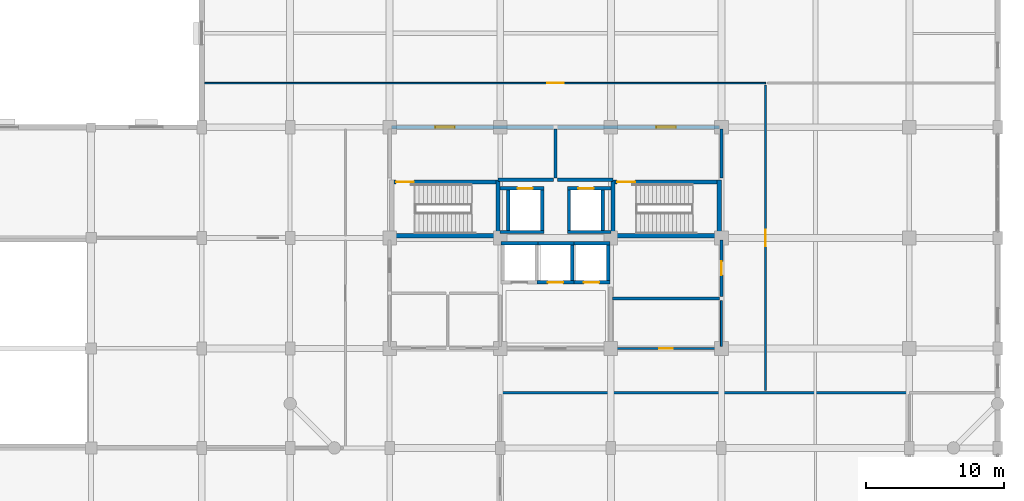
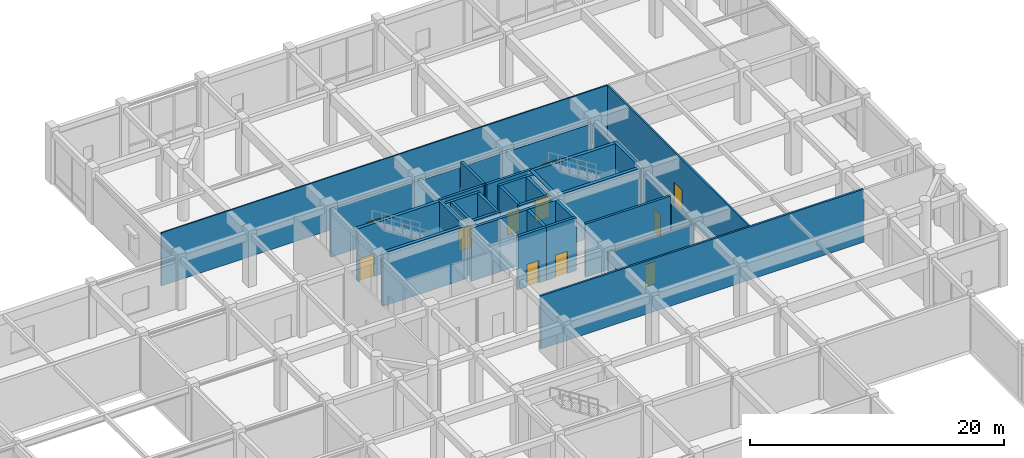
# One storey, part 29 of 36: 35 walls, 12 doors, 12 openings.
"""IFC4 building model written with IfcOpenShell, lengths in metres."""

from ifc_helpers import new_model, si_unit, direction, frame, frame_2d, origin, place, context, subcontext, project, spatial, rectangle, extrude, material, layer, layer_set, type_object, element, fill, save


model = new_model("IFC4")

# Units and contexts
model_context = context("Model", 3, precision=1e-05, world=origin(), true_north=direction((0.0, 1.0)))
body_context = subcontext(model_context, "Body", "Model", "MODEL_VIEW")
ifc_project = project(units=[si_unit("LENGTHUNIT", "METRE"), si_unit("AREAUNIT", "SQUARE_METRE"), si_unit("VOLUMEUNIT", "CUBIC_METRE"), si_unit("PLANEANGLEUNIT", "RADIAN"), si_unit("MASSUNIT", "GRAM", prefix="KILO")], contexts=[model_context])

# Site, building, storey
site_placement = place(None, origin())
site = spatial("IfcSite", under=ifc_project, at=site_placement, CompositionType="ELEMENT")
building_placement = place(site_placement, origin())
building = spatial("IfcBuilding", under=site, at=building_placement, Name="Vellmiral Cinema and Media Centre", CompositionType="ELEMENT")
storey_placement = place(building_placement, frame((0.0, 0.0, 5.39990234375)))
storey = spatial("IfcBuildingStorey", under=building, at=storey_placement, Name="L01", CompositionType="ELEMENT", Elevation=5.39990234375)

# Wall
ifc_material_1 = material(Name="Concrete C40/50", Category="concrete")
ifc_layer_1 = layer(ifc_material_1, 0.2099609375, Name="Concrete C40/50")
ifc_layer_set_1 = layer_set([ifc_layer_1], Name="Concrete C40/50")
wall_type_1 = type_object("IfcWallType", Name="WL-COMP-210", PredefinedType="SOLIDWALL", material=ifc_layer_set_1)
wall_1_placement = place(storey_placement, frame((140.139892578125, 82.800048828125, 0.0), z_axis=(0.0, 0.0, 1.0), x_axis=(1.0, 0.0, 0.0)))
element("IfcWall", 1, at=wall_1_placement, inside=storey, type_object=wall_type_1, Name="Data Patch and Riser Room Wall S", PredefinedType="SOLIDWALL", context=body_context, shape_type="SweptSolid", body=[
    extrude(rectangle(XDim=7.72021484375, YDim=0.2099609375, at=frame_2d((3.860107421875, 0.0))), origin(), (0.0, 0.0, 1.0), 5.10009765625),
])

# Wall, opening, door
wall_2_placement = place(storey_placement, frame((148.0, 82.93994140625, 0.0), z_axis=(0.0, 0.0, 1.0), x_axis=(0.0, 1.0, 0.0)))
wall_2 = element("IfcWall", 2, at=wall_2_placement, inside=storey, type_object=wall_type_1, Name="Data Patch and Riser Room Wall E", PredefinedType="SOLIDWALL", context=body_context, shape_type="SweptSolid", body=[
    extrude(rectangle(XDim=4.1201171875, YDim=0.2099609375, at=frame_2d((2.06005859375, 0.0))), origin(), (0.0, 0.0, 1.0), 4.43505859375),
])
opening_1_placement = place(wall_2_placement, frame((1.56005859375, 0.0, 0.0)))
opening_1 = element("IfcOpeningElement", 3, at=opening_1_placement, cuts=wall_2, Name="Opening D-FD30B", PredefinedType="OPENING", context=body_context, shape_type="SweptSolid", body=[
    extrude(rectangle(XDim=1.0, YDim=2.14990234375, at=frame_2d((0.5, 1.074951171875))), frame((0.0, 0.116943359375, 0.0), z_axis=(0.0, -1.0, 0.0), x_axis=(1.0, 0.0, 0.0)), (0.0, 0.0, 1.0), 0.23388671875),
])
ifc_material_2 = material(Name="Steel Riser Fire Door", Category="steel")
door_type_1 = type_object("IfcDoorType", Name="DR-FD30-1000x2150", OperationType="NOTDEFINED", PredefinedType="DOOR", material=ifc_material_2)
door_1_placement = place(opening_1_placement, origin())
door_1 = element("IfcDoor", 4, at=door_1_placement, inside=storey, type_object=door_type_1, Name="Data Patch and Riser Room Door", OperationType="SINGLE_SWING_LEFT", OverallHeight=2.14990234375, OverallWidth=1.0, PredefinedType="DOOR", context=body_context, shape_type="SweptSolid", body=[
    extrude(rectangle(XDim=1.0, YDim=2.14990234375, at=frame_2d((0.5, 1.074951171875))), frame((0.0, 0.02490234375, 0.0), z_axis=(0.0, -1.0, 0.0), x_axis=(1.0, 0.0, 0.0)), (0.0, 0.0, 1.0), 0.050048828125),
])
fill(opening_1, door_1)

# Walls
ifc_material_3 = material(Name="Concrete C40/50", Category="concrete")
ifc_layer_2 = layer(ifc_material_3, 0.300048828125, Name="Concrete C40/50")
ifc_layer_set_2 = layer_set([ifc_layer_2], Name="Concrete C40/50")
wall_type_2 = type_object("IfcWallType", Name="WL-CORE-300", PredefinedType="SHEAR", material=ifc_layer_set_2)
wall_3_placement = place(storey_placement, frame((131.85009765625, 87.199951171875, 0.0), z_axis=(0.0, 0.0, 1.0), x_axis=(0.0, 1.0, 0.0)))
element("IfcWall", 5, at=wall_3_placement, inside=storey, type_object=wall_type_2, Name="Stair Core Wall ST-T1 L01-E", PredefinedType="SHEAR", context=body_context, shape_type="SweptSolid", body=[
    extrude(rectangle(XDim=4.199951171875, YDim=0.300048828125, at=frame_2d((2.10009765625, 0.0))), origin(), (0.0, 0.0, 1.0), 5.10009765625),
])
wall_4_placement = place(storey_placement, frame((124.300048828125, 87.35009765625, 0.0), z_axis=(0.0, 0.0, 1.0), x_axis=(1.0, 0.0, 0.0)))
element("IfcWall", 6, at=wall_4_placement, inside=storey, type_object=wall_type_2, Name="Stair Core Wall ST-T1 L01-S", PredefinedType="SHEAR", context=body_context, shape_type="SweptSolid", body=[
    extrude(rectangle(XDim=7.39990234375, YDim=0.300048828125, at=frame_2d((3.699951171875, 0.0))), origin(), (0.0, 0.0, 1.0), 5.10009765625),
])

# Wall, opening, door
wall_5_placement = place(storey_placement, frame((124.300048828125, 91.25, 0.0), z_axis=(0.0, 0.0, 1.0), x_axis=(1.0, 0.0, 0.0)))
wall_5 = element("IfcWall", 7, at=wall_5_placement, inside=storey, type_object=wall_type_2, Name="Stair Core Wall ST-T1 L01-N", PredefinedType="SHEAR", context=body_context, shape_type="SweptSolid", body=[
    extrude(rectangle(XDim=7.39990234375, YDim=0.300048828125, at=frame_2d((3.699951171875, 0.0))), origin(), (0.0, 0.0, 1.0), 5.10009765625),
])
opening_2_placement = place(wall_5_placement, frame((0.159912109375, 0.0, 0.0)))
opening_2 = element("IfcOpeningElement", 8, at=opening_2_placement, cuts=wall_5, Name="Opening D-FD30A", PredefinedType="OPENING", context=body_context, shape_type="SweptSolid", body=[
    extrude(rectangle(XDim=1.300048828125, YDim=2.179931640625, at=frame_2d((0.64990234375, 1.08984375))), frame((0.0, 0.162109375, 0.0), z_axis=(0.0, -1.0, 0.0), x_axis=(1.0, 0.0, 0.0)), (0.0, 0.0, 1.0), 0.323974609375),
])
ifc_material_4 = material(Name="Steel Stair Fire Door", Category="steel")
door_type_2 = type_object("IfcDoorType", Name="DR-FD30-1300x2180", OperationType="NOTDEFINED", PredefinedType="DOOR", material=ifc_material_4)
door_2_placement = place(opening_2_placement, frame((1.300048828125, 0.0, 0.0), z_axis=(0.0, 0.0, 1.0), x_axis=(-1.0, 0.0, 0.0)))
door_2 = element("IfcDoor", 9, at=door_2_placement, inside=storey, type_object=door_type_2, Name="Protected Stair Door ST-T1 L01", OperationType="SINGLE_SWING_RIGHT", OverallHeight=2.179931640625, OverallWidth=1.300048828125, PredefinedType="DOOR", context=body_context, shape_type="SweptSolid", body=[
    extrude(rectangle(XDim=1.300048828125, YDim=2.179931640625, at=frame_2d((0.64990234375, 1.08984375))), frame((0.0, 0.02490234375, 0.0), z_axis=(0.0, -1.0, 0.0), x_axis=(1.0, 0.0, 0.0)), (0.0, 0.0, 1.0), 0.050048828125),
])
fill(opening_2, door_2)

# Walls
for number, where, z_axis, x_axis, name in (
    (10, (140.14990234375, 87.199951171875, 0.0), (0.0, 0.0, 1.0), (0.0, 1.0, 0.0), "Stair Core Wall ST-T2 L01-W"),
    (11, (147.85009765625, 87.199951171875, 0.0), (0.0, 0.0, 1.0), (0.0, 1.0, 0.0), "Stair Core Wall ST-T2 L01-E"),
):
    element("IfcWall", number, at=place(storey_placement, frame(where, z_axis=z_axis, x_axis=x_axis)), inside=storey, type_object=wall_type_2, Name=name, PredefinedType="SHEAR", context=body_context, shape_type="SweptSolid", body=[
        extrude(rectangle(XDim=4.199951171875, YDim=0.300048828125, at=frame_2d((2.10009765625, 0.0))), origin(), (0.0, 0.0, 1.0), 5.10009765625),
    ])
wall_6_placement = place(storey_placement, frame((140.300048828125, 87.35009765625, 0.0), z_axis=(0.0, 0.0, 1.0), x_axis=(1.0, 0.0, 0.0)))
element("IfcWall", 12, at=wall_6_placement, inside=storey, type_object=wall_type_2, Name="Stair Core Wall ST-T2 L01-S", PredefinedType="SHEAR", context=body_context, shape_type="SweptSolid", body=[
    extrude(rectangle(XDim=7.39990234375, YDim=0.300048828125, at=frame_2d((3.699951171875, 0.0))), origin(), (0.0, 0.0, 1.0), 5.10009765625),
])

# Wall, opening, door
wall_7_placement = place(storey_placement, frame((140.300048828125, 91.25, 0.0), z_axis=(0.0, 0.0, 1.0), x_axis=(1.0, 0.0, 0.0)))
wall_7 = element("IfcWall", 13, at=wall_7_placement, inside=storey, type_object=wall_type_2, Name="Stair Core Wall ST-T2 L01-N", PredefinedType="SHEAR", context=body_context, shape_type="SweptSolid", body=[
    extrude(rectangle(XDim=7.39990234375, YDim=0.300048828125, at=frame_2d((3.699951171875, 0.0))), origin(), (0.0, 0.0, 1.0), 5.10009765625),
])
opening_3_placement = place(wall_7_placement, frame((0.159912109375, 0.0, 0.0)))
opening_3 = element("IfcOpeningElement", 14, at=opening_3_placement, cuts=wall_7, Name="Opening D-FD30A", PredefinedType="OPENING", context=body_context, shape_type="SweptSolid", body=[
    extrude(rectangle(XDim=1.300048828125, YDim=2.179931640625, at=frame_2d((0.64990234375, 1.08984375))), frame((0.0, 0.162109375, 0.0), z_axis=(0.0, -1.0, 0.0), x_axis=(1.0, 0.0, 0.0)), (0.0, 0.0, 1.0), 0.323974609375),
])
door_3_placement = place(opening_3_placement, frame((1.300048828125, 0.0, 0.0), z_axis=(0.0, 0.0, 1.0), x_axis=(-1.0, 0.0, 0.0)))
door_3 = element("IfcDoor", 15, at=door_3_placement, inside=storey, type_object=door_type_2, Name="Protected Stair Door ST-T2 L01", OperationType="SINGLE_SWING_RIGHT", OverallHeight=2.179931640625, OverallWidth=1.300048828125, PredefinedType="DOOR", context=body_context, shape_type="SweptSolid", body=[
    extrude(rectangle(XDim=1.300048828125, YDim=2.179931640625, at=frame_2d((0.64990234375, 1.08984375))), frame((0.0, 0.02490234375, 0.0), z_axis=(0.0, -1.0, 0.0), x_axis=(1.0, 0.0, 0.0)), (0.0, 0.0, 1.0), 0.050048828125),
])
fill(opening_3, door_3)

# Wall
ifc_material_5 = material(Name="Concrete C40/50", Category="concrete")
ifc_layer_3 = layer(ifc_material_5, 0.22998046875, Name="Concrete C40/50")
ifc_layer_set_3 = layer_set([ifc_layer_3], Name="Concrete C40/50")
wall_type_3 = type_object("IfcWallType", Name="WL-FFL-230", PredefinedType="SOLIDWALL", material=ifc_layer_set_3)
wall_8_placement = place(storey_placement, frame((131.840087890625, 91.39990234375, 0.0), z_axis=(0.0, 0.0, 1.0), x_axis=(1.0, 0.0, 0.0)))
element("IfcWall", 16, at=wall_8_placement, inside=storey, type_object=wall_type_3, Name="Firefighting Lobby West Wall S", PredefinedType="SOLIDWALL", context=body_context, shape_type="SweptSolid", body=[
    extrude(rectangle(XDim=4.02001953125, YDim=0.22998046875, at=frame_2d((2.010009765625, 0.0))), origin(), (0.0, 0.0, 1.0), 5.10009765625),
])

# Wall, opening, door
wall_9_placement = place(storey_placement, frame((124.139892578125, 95.199951171875, 0.0), z_axis=(0.0, 0.0, 1.0), x_axis=(1.0, 0.0, 0.0)))
wall_9 = element("IfcWall", 17, at=wall_9_placement, inside=storey, type_object=wall_type_3, Name="Firefighting Lobby West Wall N", PredefinedType="SOLIDWALL", context=body_context, shape_type="SweptSolid", body=[
    extrude(rectangle(XDim=11.72021484375, YDim=0.22998046875, at=frame_2d((5.860107421875, 0.0))), origin(), (0.0, 0.0, 1.0), 4.53515625),
])
opening_4_placement = place(wall_9_placement, frame((3.159912109375, 0.0, 0.0)))
opening_4 = element("IfcOpeningElement", 18, at=opening_4_placement, cuts=wall_9, Name="Opening D-FD60B", PredefinedType="OPENING", context=body_context, shape_type="SweptSolid", body=[
    extrude(rectangle(XDim=1.39990234375, YDim=2.199951171875, at=frame_2d((0.699951171875, 1.10009765625))), frame((0.0, 0.126953125, 0.0), z_axis=(0.0, -1.0, 0.0), x_axis=(1.0, 0.0, 0.0)), (0.0, 0.0, 1.0), 0.25390625),
])
ifc_material_6 = material(Name="Steel Fire Door", Category="steel")
door_type_3 = type_object("IfcDoorType", Name="DR-FD60-1400x2200", OperationType="NOTDEFINED", PredefinedType="DOOR", material=ifc_material_6)
door_4_placement = place(opening_4_placement, frame((1.39990234375, 0.0, 0.0), z_axis=(0.0, 0.0, 1.0), x_axis=(-1.0, 0.0, 0.0)))
door_4 = element("IfcDoor", 19, at=door_4_placement, inside=storey, type_object=door_type_3, Name="Firefighting Lobby West Door", OperationType="SINGLE_SWING_RIGHT", OverallHeight=2.199951171875, OverallWidth=1.39990234375, PredefinedType="DOOR", context=body_context, shape_type="SweptSolid", body=[
    extrude(rectangle(XDim=1.39990234375, YDim=2.199951171875, at=frame_2d((0.699951171875, 1.10009765625))), frame((0.0, 0.02490234375, 0.0), z_axis=(0.0, -1.0, 0.0), x_axis=(1.0, 0.0, 0.0)), (0.0, 0.0, 1.0), 0.050048828125),
])
fill(opening_4, door_4)

# Walls
wall_10_placement = place(storey_placement, frame((136.0, 91.5400390625, 0.0), z_axis=(0.0, 0.0, 1.0), x_axis=(0.0, 1.0, 0.0)))
element("IfcWall", 20, at=wall_10_placement, inside=storey, type_object=wall_type_3, Name="Firefighting Lobby West Wall E", PredefinedType="SOLIDWALL", context=body_context, shape_type="SweptSolid", body=[
    extrude(rectangle(XDim=3.52001953125, YDim=0.22998046875, at=frame_2d((1.760009765625, 0.0))), origin(), (0.0, 0.0, 1.0), 5.10009765625),
])
wall_11_placement = place(storey_placement, frame((136.139892578125, 91.39990234375, 0.0), z_axis=(0.0, 0.0, 1.0), x_axis=(1.0, 0.0, 0.0)))
element("IfcWall", 21, at=wall_11_placement, inside=storey, type_object=wall_type_3, Name="Firefighting Lobby East Wall S", PredefinedType="SOLIDWALL", context=body_context, shape_type="SweptSolid", body=[
    extrude(rectangle(XDim=4.02001953125, YDim=0.22998046875, at=frame_2d((2.010009765625, 0.0))), origin(), (0.0, 0.0, 1.0), 5.10009765625),
])

# Wall, opening, door
wall_12_placement = place(storey_placement, frame((136.139892578125, 95.199951171875, 0.0), z_axis=(0.0, 0.0, 1.0), x_axis=(1.0, 0.0, 0.0)))
wall_12 = element("IfcWall", 22, at=wall_12_placement, inside=storey, type_object=wall_type_3, Name="Firefighting Lobby East Wall N", PredefinedType="SOLIDWALL", context=body_context, shape_type="SweptSolid", body=[
    extrude(rectangle(XDim=11.72021484375, YDim=0.22998046875, at=frame_2d((5.860107421875, 0.0))), origin(), (0.0, 0.0, 1.0), 4.53515625),
])
opening_5_placement = place(wall_12_placement, frame((7.159912109375, 0.0, 0.0)))
opening_5 = element("IfcOpeningElement", 23, at=opening_5_placement, cuts=wall_12, Name="Opening D-FD60B", PredefinedType="OPENING", context=body_context, shape_type="SweptSolid", body=[
    extrude(rectangle(XDim=1.39990234375, YDim=2.199951171875, at=frame_2d((0.699951171875, 1.10009765625))), frame((0.0, 0.126953125, 0.0), z_axis=(0.0, -1.0, 0.0), x_axis=(1.0, 0.0, 0.0)), (0.0, 0.0, 1.0), 0.25390625),
])
door_5_placement = place(opening_5_placement, frame((1.39990234375, 0.0, 0.0), z_axis=(0.0, 0.0, 1.0), x_axis=(-1.0, 0.0, 0.0)))
door_5 = element("IfcDoor", 24, at=door_5_placement, inside=storey, type_object=door_type_3, Name="Firefighting Lobby East Door", OperationType="SINGLE_SWING_LEFT", OverallHeight=2.199951171875, OverallWidth=1.39990234375, PredefinedType="DOOR", context=body_context, shape_type="SweptSolid", body=[
    extrude(rectangle(XDim=1.39990234375, YDim=2.199951171875, at=frame_2d((0.699951171875, 1.10009765625))), frame((0.0, 0.02490234375, 0.0), z_axis=(0.0, -1.0, 0.0), x_axis=(1.0, 0.0, 0.0)), (0.0, 0.0, 1.0), 0.050048828125),
])
fill(opening_5, door_5)

# Wall
wall_13_placement = place(storey_placement, frame((148.0, 91.5400390625, 0.0), z_axis=(0.0, 0.0, 1.0), x_axis=(0.0, 1.0, 0.0)))
element("IfcWall", 25, at=wall_13_placement, inside=storey, type_object=wall_type_3, Name="Firefighting Lobby East Wall E", PredefinedType="SOLIDWALL", context=body_context, shape_type="SweptSolid", body=[
    extrude(rectangle(XDim=3.52001953125, YDim=0.22998046875, at=frame_2d((1.760009765625, 0.0))), origin(), (0.0, 0.0, 1.0), 4.485107421875),
])

# Wall, opening, door
ifc_material_7 = material(Name="Gypsum Plasterboard")
ifc_layer_4 = layer(ifc_material_7, 0.02490234375, Name="Gypsum Plasterboard", Category="gypsum")
ifc_material_8 = material(Name="Mineral Wool Acoustic Insulation", Category="insulation")
ifc_layer_5 = layer(ifc_material_8, 0.06005859375, Name="Mineral Wool Acoustic Insulation", Category="insulation")
ifc_layer_6 = layer(ifc_material_7, 0.02490234375, Name="Gypsum Plasterboard", Category="gypsum")
ifc_layer_set_4 = layer_set([ifc_layer_4, ifc_layer_5, ifc_layer_6], Name="Gypsum Plasterboard")
wall_type_4 = type_object("IfcWallType", Name="WL-PART-110", PredefinedType="PARTITIONING", material=ifc_layer_set_4)
wall_14_placement = place(storey_placement, frame((110.60498046875, 98.39990234375, 0.0), z_axis=(0.0, 0.0, 1.0), x_axis=(1.0, 0.0, 0.0)))
wall_14 = element("IfcWall", 26, at=wall_14_placement, inside=storey, type_object=wall_type_4, Name="Tower L01 Production Office North Wall S", PredefinedType="PARTITIONING", context=body_context, shape_type="SweptSolid", body=[
    extrude(rectangle(XDim=40.594970703125, YDim=0.110107421875, at=frame_2d((20.29736328125, 0.0))), origin(), (0.0, 0.0, 1.0), 5.10009765625),
])
opening_6_placement = place(wall_14_placement, frame((24.794921875, 0.0, 0.0)))
opening_6 = element("IfcOpeningElement", 27, at=opening_6_placement, cuts=wall_14, Name="Opening D-I05", PredefinedType="OPENING", context=body_context, shape_type="SweptSolid", body=[
    extrude(rectangle(XDim=1.199951171875, YDim=2.14990234375, at=frame_2d((0.60009765625, 1.074951171875))), frame((0.0, 0.06689453125, 0.0), z_axis=(0.0, -1.0, 0.0), x_axis=(1.0, 0.0, 0.0)), (0.0, 0.0, 1.0), 0.134033203125),
])
ifc_material_9 = material(Name="Laminated Timber Door", Category="wood")
door_type_4 = type_object("IfcDoorType", Name="DR-INT-1200x2150", OperationType="NOTDEFINED", PredefinedType="DOOR", material=ifc_material_9)
door_6_placement = place(opening_6_placement, origin())
door_6 = element("IfcDoor", 28, at=door_6_placement, inside=storey, type_object=door_type_4, Name="Tower L01 Production Office North Door", OperationType="SINGLE_SWING_RIGHT", OverallHeight=2.14990234375, OverallWidth=1.199951171875, PredefinedType="DOOR", context=body_context, shape_type="SweptSolid", body=[
    extrude(rectangle(XDim=1.199951171875, YDim=2.14990234375, at=frame_2d((0.60009765625, 1.074951171875))), frame((0.0, 0.02490234375, 0.0), z_axis=(0.0, -1.0, 0.0), x_axis=(1.0, 0.0, 0.0)), (0.0, 0.0, 1.0), 0.050048828125),
])
fill(opening_6, door_6)

# Wall
ifc_material_10 = material(Name="Gypsum Plasterboard")
ifc_layer_7 = layer(ifc_material_10, 0.02490234375, Name="Gypsum Plasterboard", Category="gypsum")
ifc_material_11 = material(Name="Mineral Wool Acoustic Insulation", Category="insulation")
ifc_layer_8 = layer(ifc_material_11, 0.080078125, Name="Mineral Wool Acoustic Insulation", Category="insulation")
ifc_layer_9 = layer(ifc_material_10, 0.02490234375, Name="Gypsum Plasterboard", Category="gypsum")
ifc_layer_set_5 = layer_set([ifc_layer_7, ifc_layer_8, ifc_layer_9], Name="Gypsum Plasterboard")
wall_type_5 = type_object("IfcWallType", Name="WL-PART-130", PredefinedType="PARTITIONING", material=ifc_layer_set_5)
wall_15_placement = place(storey_placement, frame((148.0, 79.340087890625, 0.0), z_axis=(0.0, 0.0, 1.0), x_axis=(0.0, 1.0, 0.0)))
element("IfcWall", 29, at=wall_15_placement, inside=storey, type_object=wall_type_5, Name="Print and Archive Copy Room Wall E", PredefinedType="PARTITIONING", context=body_context, shape_type="SweptSolid", body=[
    extrude(rectangle(XDim=3.31982421875, YDim=0.1298828125, at=frame_2d((1.659912109375, 0.0))), origin(), (0.0, 0.0, 1.0), 4.43505859375),
])

# Wall, opening, door
ifc_material_12 = material(Name="Gypsum Plasterboard")
ifc_layer_10 = layer(ifc_material_12, 0.02490234375, Name="Gypsum Plasterboard", Category="gypsum")
ifc_material_13 = material(Name="Mineral Wool Acoustic Insulation", Category="insulation")
ifc_layer_11 = layer(ifc_material_13, 0.10009765625, Name="Mineral Wool Acoustic Insulation", Category="insulation")
ifc_layer_12 = layer(ifc_material_12, 0.02490234375, Name="Gypsum Plasterboard", Category="gypsum")
ifc_layer_set_6 = layer_set([ifc_layer_10, ifc_layer_11, ifc_layer_12], Name="Gypsum Plasterboard")
wall_type_6 = type_object("IfcWallType", Name="WL-PART-150", PredefinedType="PARTITIONING", material=ifc_layer_set_6)
wall_16_placement = place(storey_placement, frame((140.139892578125, 79.199951171875, 0.0), z_axis=(0.0, 0.0, 1.0), x_axis=(1.0, 0.0, 0.0)))
wall_16 = element("IfcWall", 30, at=wall_16_placement, inside=storey, type_object=wall_type_6, Name="Print and Archive Copy Room Wall S", PredefinedType="PARTITIONING", context=body_context, shape_type="SweptSolid", body=[
    extrude(rectangle(XDim=7.72021484375, YDim=0.14990234375, at=frame_2d((3.860107421875, 0.0))), origin(), (0.0, 0.0, 1.0), 4.53515625),
])
opening_7_placement = place(wall_16_placement, frame((3.360107421875, 0.0, 0.0)))
opening_7 = element("IfcOpeningElement", 31, at=opening_7_placement, cuts=wall_16, Name="Opening D-I08", PredefinedType="OPENING", context=body_context, shape_type="SweptSolid", body=[
    extrude(rectangle(XDim=1.0, YDim=2.14990234375, at=frame_2d((0.5, 1.074951171875))), frame((0.0, 0.0869140625, 0.0), z_axis=(0.0, -1.0, 0.0), x_axis=(1.0, 0.0, 0.0)), (0.0, 0.0, 1.0), 0.173828125),
])
ifc_material_14 = material(Name="Laminated Timber Door", Category="wood")
door_type_5 = type_object("IfcDoorType", Name="DR-INT-1000x2150", OperationType="NOTDEFINED", PredefinedType="DOOR", material=ifc_material_14)
door_7_placement = place(opening_7_placement, origin())
door_7 = element("IfcDoor", 32, at=door_7_placement, inside=storey, type_object=door_type_5, Name="Print and Archive Copy Room Door", OperationType="SINGLE_SWING_RIGHT", OverallHeight=2.14990234375, OverallWidth=1.0, PredefinedType="DOOR", context=body_context, shape_type="SweptSolid", body=[
    extrude(rectangle(XDim=1.0, YDim=2.14990234375, at=frame_2d((0.5, 1.074951171875))), frame((0.0, 0.02490234375, 0.0), z_axis=(0.0, -1.0, 0.0), x_axis=(1.0, 0.0, 0.0)), (0.0, 0.0, 1.0), 0.050048828125),
])
fill(opening_7, door_7)

wall_17_placement = place(storey_placement, frame((151.199951171875, 76.139892578125, 0.0), z_axis=(0.0, 0.0, 1.0), x_axis=(0.0, 1.0, 0.0)))
wall_17 = element("IfcWall", 33, at=wall_17_placement, inside=storey, type_object=wall_type_6, Name="Tower L01 Production Office East Wall W", PredefinedType="PARTITIONING", context=body_context, shape_type="SweptSolid", body=[
    extrude(rectangle(XDim=22.1201171875, YDim=0.14990234375, at=frame_2d((11.06005859375, 0.0))), origin(), (0.0, 0.0, 1.0), 5.10009765625),
])
opening_8_placement = place(wall_17_placement, frame((10.4599609375, 0.0, 0.0)))
opening_8 = element("IfcOpeningElement", 34, at=opening_8_placement, cuts=wall_17, Name="Opening D-I05", PredefinedType="OPENING", context=body_context, shape_type="SweptSolid", body=[
    extrude(rectangle(XDim=1.199951171875, YDim=2.14990234375, at=frame_2d((0.60009765625, 1.074951171875))), frame((0.0, 0.0869140625, 0.0), z_axis=(0.0, -1.0, 0.0), x_axis=(1.0, 0.0, 0.0)), (0.0, 0.0, 1.0), 0.173828125),
])
door_8_placement = place(opening_8_placement, frame((1.199951171875, 0.0, 0.0), z_axis=(0.0, 0.0, 1.0), x_axis=(-1.0, 0.0, 0.0)))
door_8 = element("IfcDoor", 35, at=door_8_placement, inside=storey, type_object=door_type_4, Name="Tower L01 Production Office East Door", OperationType="SINGLE_SWING_RIGHT", OverallHeight=2.14990234375, OverallWidth=1.199951171875, PredefinedType="DOOR", context=body_context, shape_type="SweptSolid", body=[
    extrude(rectangle(XDim=1.199951171875, YDim=2.14990234375, at=frame_2d((0.60009765625, 1.074951171875))), frame((0.0, 0.02490234375, 0.0), z_axis=(0.0, -1.0, 0.0), x_axis=(1.0, 0.0, 0.0)), (0.0, 0.0, 1.0), 0.050048828125),
])
fill(opening_8, door_8)

# Walls
ifc_material_15 = material(Name="Gypsum Plasterboard")
ifc_layer_13 = layer(ifc_material_15, 0.02490234375, Name="Gypsum Plasterboard", Category="gypsum")
ifc_material_16 = material(Name="Mineral Wool Acoustic Insulation", Category="insulation")
ifc_layer_14 = layer(ifc_material_16, 0.1201171875, Name="Mineral Wool Acoustic Insulation", Category="insulation")
ifc_layer_15 = layer(ifc_material_15, 0.02490234375, Name="Gypsum Plasterboard", Category="gypsum")
ifc_layer_set_7 = layer_set([ifc_layer_13, ifc_layer_14, ifc_layer_15], Name="Gypsum Plasterboard")
wall_type_7 = type_object("IfcWallType", Name="WL-PART-170", PredefinedType="PARTITIONING", material=ifc_layer_set_7)
wall_18_placement = place(storey_placement, frame((132.139892578125, 76.0, 0.0), z_axis=(0.0, 0.0, 1.0), x_axis=(1.0, 0.0, 0.0)))
element("IfcWall", 36, at=wall_18_placement, inside=storey, type_object=wall_type_7, Name="Tower L01 Production Office South Wall N", PredefinedType="PARTITIONING", context=body_context, shape_type="SweptSolid", body=[
    extrude(rectangle(XDim=29.320068359375, YDim=0.169921875, at=frame_2d((14.66015625, 0.0))), origin(), (0.0, 0.0, 1.0), 5.10009765625),
])
ifc_material_17 = material(Name="Concrete C40/50", Category="concrete")
ifc_layer_16 = layer(ifc_material_17, 0.25, Name="Concrete C40/50")
ifc_layer_set_8 = layer_set([ifc_layer_16], Name="Concrete C40/50")
wall_type_8 = type_object("IfcWallType", Name="WL-SHAFT-250", PredefinedType="SHEAR", material=ifc_layer_set_8)
wall_19_placement = place(storey_placement, frame((132.0, 87.625, 0.0), z_axis=(0.0, 0.0, 1.0), x_axis=(1.0, 0.0, 0.0)))
element("IfcWall", 37, at=wall_19_placement, inside=storey, type_object=wall_type_8, Name="Lift Shaft Wall LF-FF1 L01-S", PredefinedType="SHEAR", context=body_context, shape_type="SweptSolid", body=[
    extrude(rectangle(XDim=3.14990234375, YDim=0.25, at=frame_2d((1.574951171875, 0.0))), origin(), (0.0, 0.0, 1.0), 5.10009765625),
])

# Wall, opening, door
wall_20_placement = place(storey_placement, frame((132.0, 90.77490234375, 0.0), z_axis=(0.0, 0.0, 1.0), x_axis=(1.0, 0.0, 0.0)))
wall_20 = element("IfcWall", 38, at=wall_20_placement, inside=storey, type_object=wall_type_8, Name="Lift Shaft Wall LF-FF1 L01-N", PredefinedType="SHEAR", context=body_context, shape_type="SweptSolid", body=[
    extrude(rectangle(XDim=3.14990234375, YDim=0.25, at=frame_2d((1.574951171875, 0.0))), origin(), (0.0, 0.0, 1.0), 5.10009765625),
])
opening_9_placement = place(wall_20_placement, frame((1.25, 0.0, 0.0)))
opening_9 = element("IfcOpeningElement", 39, at=opening_9_placement, cuts=wall_20, Name="Opening LD-01", PredefinedType="OPENING", context=body_context, shape_type="SweptSolid", body=[
    extrude(rectangle(XDim=1.10009765625, YDim=2.14990234375, at=frame_2d((0.550048828125, 1.074951171875))), frame((0.0, 0.136962890625, 0.0), z_axis=(0.0, -1.0, 0.0), x_axis=(1.0, 0.0, 0.0)), (0.0, 0.0, 1.0), 0.27392578125),
])
ifc_material_18 = material(Name="Stainless Steel Lift Landing Door", Category="steel")
door_type_6 = type_object("IfcDoorType", Name="DR-LIFT-1100x2150", OperationType="SLIDING_TO_LEFT", PredefinedType="DOOR", material=ifc_material_18)
door_9_placement = place(opening_9_placement, origin())
door_9 = element("IfcDoor", 40, at=door_9_placement, inside=storey, type_object=door_type_6, Name="Lift Landing Door LF-FF1 L01", OperationType="SLIDING_TO_LEFT", OverallHeight=2.14990234375, OverallWidth=1.10009765625, PredefinedType="DOOR", context=body_context, shape_type="SweptSolid", body=[
    extrude(rectangle(XDim=1.10009765625, YDim=2.14990234375, at=frame_2d((0.550048828125, 1.074951171875))), frame((0.0, 0.02490234375, 0.0), z_axis=(0.0, -1.0, 0.0), x_axis=(1.0, 0.0, 0.0)), (0.0, 0.0, 1.0), 0.050048828125),
])
fill(opening_9, door_9)

# Walls
for number, where, z_axis, x_axis, name in (
    (41, (132.574951171875, 87.75, 0.0), (0.0, 0.0, 1.0), (0.0, 1.0, 0.0), "Lift Shaft Wall LF-FF1 L01-W"),
    (42, (135.02490234375, 87.75, 0.0), (0.0, 0.0, 1.0), (0.0, 1.0, 0.0), "Lift Shaft Wall LF-FF1 L01-E"),
):
    element("IfcWall", number, at=place(storey_placement, frame(where, z_axis=z_axis, x_axis=x_axis)), inside=storey, type_object=wall_type_8, Name=name, PredefinedType="SHEAR", context=body_context, shape_type="SweptSolid", body=[
        extrude(rectangle(XDim=2.89990234375, YDim=0.25, at=frame_2d((1.449951171875, 0.0))), origin(), (0.0, 0.0, 1.0), 5.10009765625),
    ])
wall_21_placement = place(storey_placement, frame((136.85009765625, 87.625, 0.0), z_axis=(0.0, 0.0, 1.0), x_axis=(1.0, 0.0, 0.0)))
element("IfcWall", 43, at=wall_21_placement, inside=storey, type_object=wall_type_8, Name="Lift Shaft Wall LF-FF2 L01-S", PredefinedType="SHEAR", context=body_context, shape_type="SweptSolid", body=[
    extrude(rectangle(XDim=3.14990234375, YDim=0.25, at=frame_2d((1.574951171875, 0.0))), origin(), (0.0, 0.0, 1.0), 5.10009765625),
])

# Wall, opening, door
wall_22_placement = place(storey_placement, frame((136.85009765625, 90.77490234375, 0.0), z_axis=(0.0, 0.0, 1.0), x_axis=(1.0, 0.0, 0.0)))
wall_22 = element("IfcWall", 44, at=wall_22_placement, inside=storey, type_object=wall_type_8, Name="Lift Shaft Wall LF-FF2 L01-N", PredefinedType="SHEAR", context=body_context, shape_type="SweptSolid", body=[
    extrude(rectangle(XDim=3.14990234375, YDim=0.25, at=frame_2d((1.574951171875, 0.0))), origin(), (0.0, 0.0, 1.0), 5.10009765625),
])
opening_10_placement = place(wall_22_placement, frame((0.800048828125, 0.0, 0.0)))
opening_10 = element("IfcOpeningElement", 45, at=opening_10_placement, cuts=wall_22, Name="Opening LD-01", PredefinedType="OPENING", context=body_context, shape_type="SweptSolid", body=[
    extrude(rectangle(XDim=1.10009765625, YDim=2.14990234375, at=frame_2d((0.550048828125, 1.074951171875))), frame((0.0, 0.136962890625, 0.0), z_axis=(0.0, -1.0, 0.0), x_axis=(1.0, 0.0, 0.0)), (0.0, 0.0, 1.0), 0.27392578125),
])
door_10_placement = place(opening_10_placement, origin())
door_10 = element("IfcDoor", 46, at=door_10_placement, inside=storey, type_object=door_type_6, Name="Lift Landing Door LF-FF2 L01", OperationType="SLIDING_TO_LEFT", OverallHeight=2.14990234375, OverallWidth=1.10009765625, PredefinedType="DOOR", context=body_context, shape_type="SweptSolid", body=[
    extrude(rectangle(XDim=1.10009765625, YDim=2.14990234375, at=frame_2d((0.550048828125, 1.074951171875))), frame((0.0, 0.02490234375, 0.0), z_axis=(0.0, -1.0, 0.0), x_axis=(1.0, 0.0, 0.0)), (0.0, 0.0, 1.0), 0.050048828125),
])
fill(opening_10, door_10)

# Walls
for number, where, z_axis, x_axis, name in (
    (47, (136.97509765625, 87.75, 0.0), (0.0, 0.0, 1.0), (0.0, 1.0, 0.0), "Lift Shaft Wall LF-FF2 L01-W"),
    (48, (139.425048828125, 87.75, 0.0), (0.0, 0.0, 1.0), (0.0, 1.0, 0.0), "Lift Shaft Wall LF-FF2 L01-E"),
):
    element("IfcWall", number, at=place(storey_placement, frame(where, z_axis=z_axis, x_axis=x_axis)), inside=storey, type_object=wall_type_8, Name=name, PredefinedType="SHEAR", context=body_context, shape_type="SweptSolid", body=[
        extrude(rectangle(XDim=2.89990234375, YDim=0.25, at=frame_2d((1.449951171875, 0.0))), origin(), (0.0, 0.0, 1.0), 5.10009765625),
    ])
wall_23_placement = place(storey_placement, frame((132.050048828125, 86.824951171875, 0.0), z_axis=(0.0, 0.0, 1.0), x_axis=(1.0, 0.0, 0.0)))
element("IfcWall", 49, at=wall_23_placement, inside=storey, type_object=wall_type_8, Name="Lift Shaft Wall LF-P1 L01-N", PredefinedType="SHEAR", context=body_context, shape_type="SweptSolid", body=[
    extrude(rectangle(XDim=2.699951171875, YDim=0.25, at=frame_2d((1.35009765625, 0.0))), origin(), (0.0, 0.0, 1.0), 5.10009765625),
])

# Wall, opening, door
wall_24_placement = place(storey_placement, frame((134.64990234375, 83.97509765625, 0.0), z_axis=(0.0, 0.0, 1.0), x_axis=(1.0, 0.0, 0.0)))
wall_24 = element("IfcWall", 50, at=wall_24_placement, inside=storey, type_object=wall_type_8, Name="Lift Shaft Wall LF-P2 L01-S", PredefinedType="SHEAR", context=body_context, shape_type="SweptSolid", body=[
    extrude(rectangle(XDim=2.7001953125, YDim=0.25, at=frame_2d((1.35009765625, 0.0))), origin(), (0.0, 0.0, 1.0), 5.10009765625),
])
opening_11_placement = place(wall_24_placement, frame((0.800048828125, 0.0, 0.0)))
opening_11 = element("IfcOpeningElement", 51, at=opening_11_placement, cuts=wall_24, Name="Opening LD-01", PredefinedType="OPENING", context=body_context, shape_type="SweptSolid", body=[
    extrude(rectangle(XDim=1.10009765625, YDim=2.14990234375, at=frame_2d((0.550048828125, 1.074951171875))), frame((0.0, 0.136962890625, 0.0), z_axis=(0.0, -1.0, 0.0), x_axis=(1.0, 0.0, 0.0)), (0.0, 0.0, 1.0), 0.27392578125),
])
door_11_placement = place(opening_11_placement, origin())
door_11 = element("IfcDoor", 52, at=door_11_placement, inside=storey, type_object=door_type_6, Name="Lift Landing Door LF-P2 L01", OperationType="SLIDING_TO_LEFT", OverallHeight=2.14990234375, OverallWidth=1.10009765625, PredefinedType="DOOR", context=body_context, shape_type="SweptSolid", body=[
    extrude(rectangle(XDim=1.10009765625, YDim=2.14990234375, at=frame_2d((0.550048828125, 1.074951171875))), frame((0.0, 0.02490234375, 0.0), z_axis=(0.0, -1.0, 0.0), x_axis=(1.0, 0.0, 0.0)), (0.0, 0.0, 1.0), 0.050048828125),
])
fill(opening_11, door_11)

# Walls
wall_25_placement = place(storey_placement, frame((134.64990234375, 86.824951171875, 0.0), z_axis=(0.0, 0.0, 1.0), x_axis=(1.0, 0.0, 0.0)))
element("IfcWall", 53, at=wall_25_placement, inside=storey, type_object=wall_type_8, Name="Lift Shaft Wall LF-P2 L01-N", PredefinedType="SHEAR", context=body_context, shape_type="SweptSolid", body=[
    extrude(rectangle(XDim=2.7001953125, YDim=0.25, at=frame_2d((1.35009765625, 0.0))), origin(), (0.0, 0.0, 1.0), 5.10009765625),
])
wall_26_placement = place(storey_placement, frame((137.22509765625, 84.10009765625, 0.0), z_axis=(0.0, 0.0, 1.0), x_axis=(0.0, 1.0, 0.0)))
element("IfcWall", 54, at=wall_26_placement, inside=storey, type_object=wall_type_8, Name="Lift Shaft Wall LF-P2 L01-E", PredefinedType="SHEAR", context=body_context, shape_type="SweptSolid", body=[
    extrude(rectangle(XDim=2.599853515625, YDim=0.25, at=frame_2d((1.2998046875, 0.0))), origin(), (0.0, 0.0, 1.0), 5.10009765625),
])

# Wall, opening, door
wall_27_placement = place(storey_placement, frame((137.25, 83.97509765625, 0.0), z_axis=(0.0, 0.0, 1.0), x_axis=(1.0, 0.0, 0.0)))
wall_27 = element("IfcWall", 55, at=wall_27_placement, inside=storey, type_object=wall_type_8, Name="Lift Shaft Wall LF-P3 L01-S", PredefinedType="SHEAR", context=body_context, shape_type="SweptSolid", body=[
    extrude(rectangle(XDim=2.699951171875, YDim=0.25, at=frame_2d((1.35009765625, 0.0))), origin(), (0.0, 0.0, 1.0), 5.10009765625),
])
opening_12_placement = place(wall_27_placement, frame((0.800048828125, 0.0, 0.0)))
opening_12 = element("IfcOpeningElement", 56, at=opening_12_placement, cuts=wall_27, Name="Opening LD-01", PredefinedType="OPENING", context=body_context, shape_type="SweptSolid", body=[
    extrude(rectangle(XDim=1.10009765625, YDim=2.14990234375, at=frame_2d((0.550048828125, 1.074951171875))), frame((0.0, 0.136962890625, 0.0), z_axis=(0.0, -1.0, 0.0), x_axis=(1.0, 0.0, 0.0)), (0.0, 0.0, 1.0), 0.27392578125),
])
door_12_placement = place(opening_12_placement, origin())
door_12 = element("IfcDoor", 57, at=door_12_placement, inside=storey, type_object=door_type_6, Name="Lift Landing Door LF-P3 L01", OperationType="SLIDING_TO_LEFT", OverallHeight=2.14990234375, OverallWidth=1.10009765625, PredefinedType="DOOR", context=body_context, shape_type="SweptSolid", body=[
    extrude(rectangle(XDim=1.10009765625, YDim=2.14990234375, at=frame_2d((0.550048828125, 1.074951171875))), frame((0.0, 0.02490234375, 0.0), z_axis=(0.0, -1.0, 0.0), x_axis=(1.0, 0.0, 0.0)), (0.0, 0.0, 1.0), 0.050048828125),
])
fill(opening_12, door_12)

# Walls
wall_28_placement = place(storey_placement, frame((137.25, 86.824951171875, 0.0), z_axis=(0.0, 0.0, 1.0), x_axis=(1.0, 0.0, 0.0)))
element("IfcWall", 58, at=wall_28_placement, inside=storey, type_object=wall_type_8, Name="Lift Shaft Wall LF-P3 L01-N", PredefinedType="SHEAR", context=body_context, shape_type="SweptSolid", body=[
    extrude(rectangle(XDim=2.699951171875, YDim=0.25, at=frame_2d((1.35009765625, 0.0))), origin(), (0.0, 0.0, 1.0), 5.10009765625),
])
wall_29_placement = place(storey_placement, frame((139.824951171875, 84.10009765625, 0.0), z_axis=(0.0, 0.0, 1.0), x_axis=(0.0, 1.0, 0.0)))
element("IfcWall", 59, at=wall_29_placement, inside=storey, type_object=wall_type_8, Name="Lift Shaft Wall LF-P3 L01-E", PredefinedType="SHEAR", context=body_context, shape_type="SweptSolid", body=[
    extrude(rectangle(XDim=2.599853515625, YDim=0.25, at=frame_2d((1.2998046875, 0.0))), origin(), (0.0, 0.0, 1.0), 5.10009765625),
])

save(model, "model.ifc")
